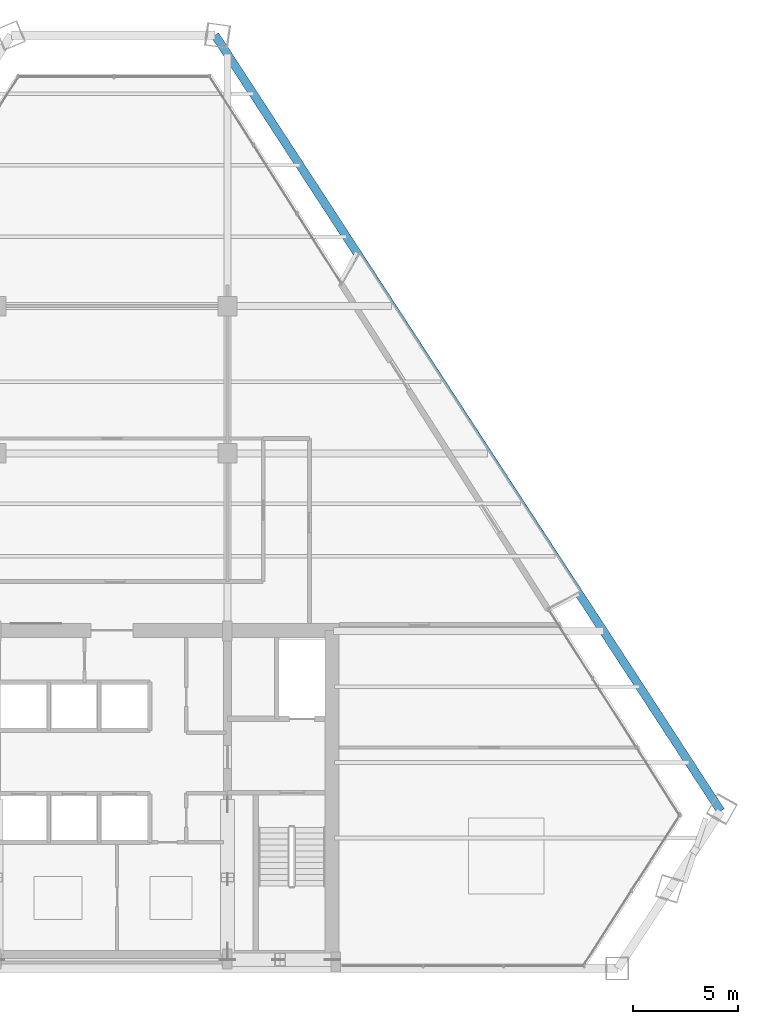
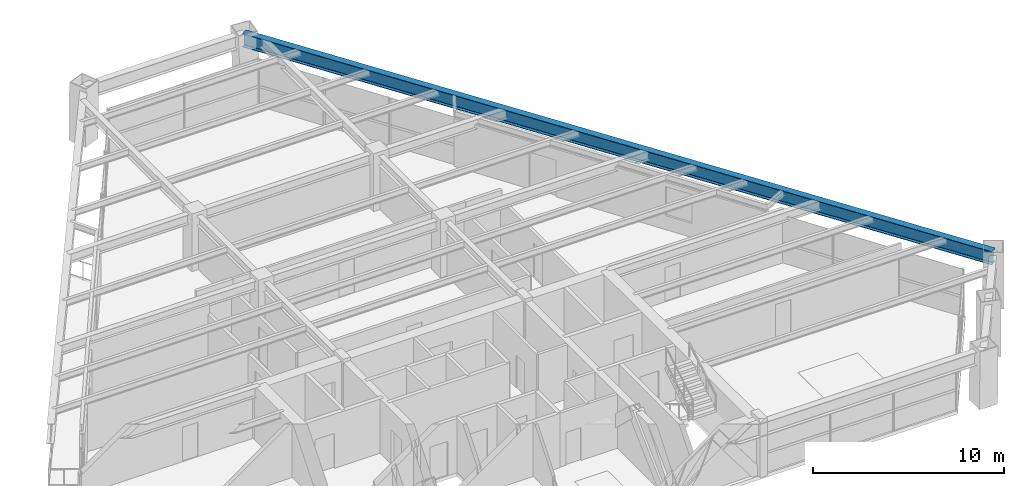
# One storey, part 7 of 15: 1 beam.
"""IFC4 building model written with IfcOpenShell, lengths in metres."""

from ifc_helpers import new_model, si_unit, direction, frame, origin, origin_2d, place, context, subcontext, project, spatial, i_section, extrude, source, transform, mapped, material, material_profile, profile_set, type_object, element, save


model = new_model("IFC4")

# Units and contexts
model_context = context("Model", 3, precision=1e-05, world=origin(), true_north=direction((0.0, 1.0)))
body_context = subcontext(model_context, "Body", "Model", "MODEL_VIEW")
ifc_project = project(units=[si_unit("LENGTHUNIT", "METRE"), si_unit("AREAUNIT", "SQUARE_METRE"), si_unit("VOLUMEUNIT", "CUBIC_METRE"), si_unit("PLANEANGLEUNIT", "RADIAN"), si_unit("MASSUNIT", "GRAM", prefix="KILO")], contexts=[model_context])

# Site, building, storey
site_placement = place(None, origin())
site = spatial("IfcSite", under=ifc_project, at=site_placement, CompositionType="ELEMENT")
building_placement = place(site_placement, origin())
building = spatial("IfcBuilding", under=site, at=building_placement, Name="Varnakhor Terracotta Tower", CompositionType="ELEMENT")
storey_placement = place(building_placement, frame((0.0, 0.0, 155.199951171875)))
storey = spatial("IfcBuildingStorey", under=building, at=storey_placement, Name="L39", CompositionType="ELEMENT", Elevation=155.199951171875)

# Beam
ifc_material = material(Name="Steel S355", Category="steel")
ifc_material_profile = material_profile(ifc_material, i_section(OverallWidth=0.39990234375, OverallDepth=0.85498046875, WebThickness=0.01806640625, FlangeThickness=0.029052734375, FilletRadius=0.01806640625, at=origin_2d()), Name="W33X201")
ifc_profile_set = profile_set([ifc_material_profile], Name="Steel S355")
beam_type = type_object("IfcBeamType", Name="BM-W33X201", PredefinedType="BEAM", material=ifc_profile_set)
shared_shape = source(origin(), body_context, "Body", "SweptSolid", [
    extrude(i_section(OverallWidth=0.39990234375, OverallDepth=0.85498046875, WebThickness=0.01806640625, FlangeThickness=0.029052734375, FilletRadius=0.01806640625, at=origin_2d()), origin(), (0.0, 0.0, 1.0), 44.052734375),
])
beam_placement = place(storey_placement, frame((28.96337890625, 7.484375, 3.04248046875), z_axis=(-0.545998957519, 0.837785854731, 0.0), x_axis=(-0.837785854731, -0.545998957519, 0.0)))
element("IfcBeam", 1, at=beam_placement, inside=storey, type_object=beam_type, Name="L39 Perimeter Spandrel 4", PredefinedType="BEAM", context=body_context, shape_type="MappedRepresentation", body=[
    mapped(shared_shape, transform((0.0, 0.0, 0.0), scale=1.0)),
])

save(model, "model.ifc")
